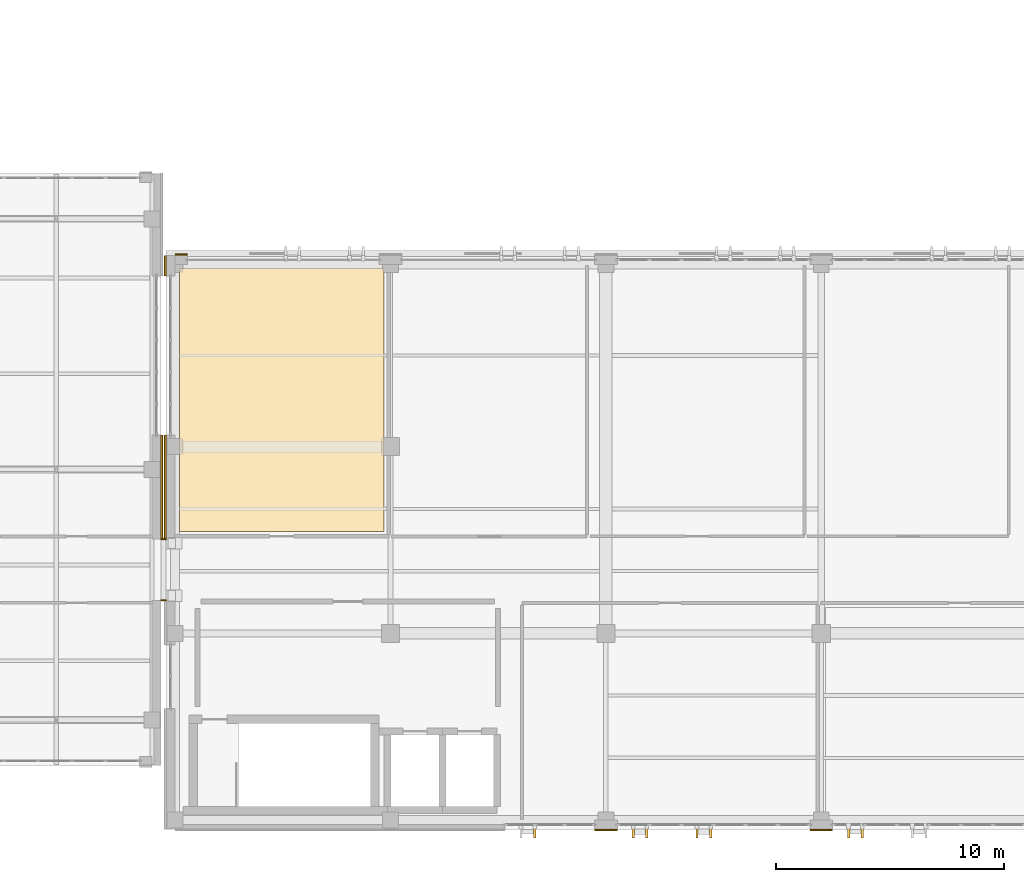
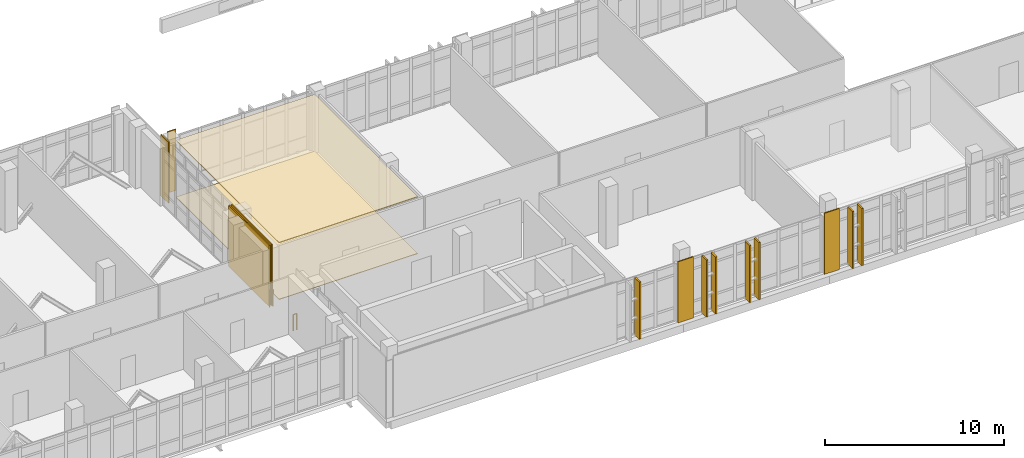
# One storey, part 144 of 158: 8 coverings, 7 shading devices, 2 railings.
"""IFC4 building model written with IfcOpenShell, lengths in metres."""

from ifc_helpers import new_model, si_unit, direction, frame, origin, origin_2d, place, context, subcontext, project, spatial, polyline, rectangle, circle, outline, extrude, material, layer, layer_set, type_object, element, save


model = new_model("IFC4")

# Units and contexts
model_context = context("Model", 3, precision=1e-05, world=origin(), true_north=direction((0.0, 1.0)))
body_context = subcontext(model_context, "Body", "Model", "MODEL_VIEW")
ifc_project = project(units=[si_unit("LENGTHUNIT", "METRE"), si_unit("AREAUNIT", "SQUARE_METRE"), si_unit("VOLUMEUNIT", "CUBIC_METRE"), si_unit("PLANEANGLEUNIT", "RADIAN"), si_unit("MASSUNIT", "GRAM", prefix="KILO")], contexts=[model_context])

# Site, building, storey
site_placement = place(None, origin())
site = spatial("IfcSite", under=ifc_project, at=site_placement, CompositionType="ELEMENT")
building_placement = place(site_placement, origin())
building = spatial("IfcBuilding", under=site, at=building_placement, Name="Qalavern Law Courts", CompositionType="ELEMENT")
storey_placement = place(building_placement, frame((0.0, 0.0, 18.60009765625)))
storey = spatial("IfcBuildingStorey", under=building, at=storey_placement, Name="L04", CompositionType="ELEMENT", Elevation=18.60009765625)

# Railings
ifc_material_1 = material(Name="Steel S355", Category="steel")
railing_type = type_object("IfcRailingType", Name="ENV-BAL-1120", PredefinedType="BALUSTRADE", material=ifc_material_1)
for number, where, name in (
    (1, (34.0, 15.260009765625, 0.0), "Bridge BR-V1-V2 joint guard L04-1"),
    (2, (34.0, 17.93994140625, 0.0), "Bridge BR-V1-V2 joint guard L04-2"),
):
    element("IfcRailing", number, at=place(storey_placement, frame(where)), inside=storey, type_object=railing_type, Name=name, PredefinedType="BALUSTRADE", context=body_context, shape_type="SweptSolid", body=[
        extrude(circle(Radius=0.02392578125, at=origin_2d()), frame((0.0, 0.0, 1.09619140625), z_axis=(1.0, 0.0, 0.0), x_axis=(0.0, 1.0, 0.0)), (0.0, 0.0, 1.0), 0.219970703125),
        extrude(circle(Radius=0.02099609375, at=origin_2d()), origin(), (0.0, 0.0, 1.0), 1.072021484375),
        extrude(circle(Radius=0.02099609375, at=origin_2d()), frame((0.219970703125, 0.0, 0.0)), (0.0, 0.0, 1.0), 1.072021484375),
    ])

# Coverings
ifc_material_2 = material(Name="Precast concrete C40/50", Category="concrete")
ifc_layer_1 = layer(ifc_material_2, 0.072021484375)
ifc_layer_set_1 = layer_set([ifc_layer_1], Name="Precast concrete C40/50")
covering_type_1 = type_object("IfcCoveringType", Name="ENV-CLD-2", PredefinedType="CLADDING", material=ifc_layer_set_1)
covering_1_placement = place(storey_placement, frame((34.032958984375, 20.22509765625, 0.009765625), z_axis=(0.0, 0.0, 1.0), x_axis=(0.0, 1.0, 0.0)))
element("IfcCovering", 3, at=covering_1_placement, inside=storey, type_object=covering_type_1, Name="V1 Absheron limestone pier facing L04 east 1", PredefinedType="CLADDING", context=body_context, shape_type="SweptSolid", body=[
    extrude(rectangle(XDim=4.530029296875, YDim=0.072021484375, at=origin_2d()), origin(), (0.0, 0.0, 1.0), 4.179931640625),
])
for number, where, z_axis, x_axis, name in (
    (4, (53.528564453125, 5.1669921875, 0.009765625), (0.0, 0.0, 1.0), (1.0, 0.0, 0.0), "V2 Absheron limestone pier facing L04 south 2"),
    (5, (62.98291015625, 5.1669921875, 0.009765625), (0.0, 0.0, 1.0), (1.0, 0.0, 0.0), "V2 Absheron limestone pier facing L04 south 3"),
):
    element("IfcCovering", number, at=place(storey_placement, frame(where, z_axis=z_axis, x_axis=x_axis)), inside=storey, type_object=covering_type_1, Name=name, PredefinedType="CLADDING", context=body_context, shape_type="SweptSolid", body=[
        extrude(rectangle(XDim=0.97998046875, YDim=0.072021484375, at=origin_2d()), origin(), (0.0, 0.0, 1.0), 4.179931640625),
    ])
covering_2_placement = place(storey_placement, frame((34.889892578125, 30.43310546875, 0.009765625), z_axis=(0.0, 0.0, 1.0), x_axis=(-1.0, 0.0, 0.0)))
element("IfcCovering", 6, at=covering_2_placement, inside=storey, type_object=covering_type_1, Name="V2 Absheron limestone pier facing L04 north 8", PredefinedType="CLADDING", context=body_context, shape_type="SweptSolid", body=[
    extrude(rectangle(XDim=0.530029296875, YDim=0.072021484375, at=origin_2d()), origin(), (0.0, 0.0, 1.0), 4.179931640625),
])
covering_3_placement = place(storey_placement, frame((34.18701171875, 29.949951171875, 0.009765625), z_axis=(0.0, 0.0, 1.0), x_axis=(0.0, -1.0, 0.0)))
element("IfcCovering", 7, at=covering_3_placement, inside=storey, type_object=covering_type_1, Name="V2 Absheron limestone pier facing L04 west 1", PredefinedType="CLADDING", context=body_context, shape_type="SweptSolid", body=[
    extrude(rectangle(XDim=0.8798828125, YDim=0.072021484375, at=origin_2d()), origin(), (0.0, 0.0, 1.0), 4.179931640625),
])
covering_4_placement = place(storey_placement, frame((34.18701171875, 20.22509765625, 0.009765625), z_axis=(0.0, 0.0, 1.0), x_axis=(0.0, -1.0, 0.0)))
element("IfcCovering", 8, at=covering_4_placement, inside=storey, type_object=covering_type_1, Name="V2 Absheron limestone pier facing L04 west 2", PredefinedType="CLADDING", context=body_context, shape_type="SweptSolid", body=[
    extrude(rectangle(XDim=4.530029296875, YDim=0.072021484375, at=origin_2d()), origin(), (0.0, 0.0, 1.0), 4.179931640625),
])

# Shading devices
shading_device_type = type_object("IfcShadingDeviceType", Name="ENV-FIN-2", PredefinedType="USERDEFINED", material=ifc_material_2)
for number, where, z_axis, x_axis, name in (
    (9, (50.39990234375, 5.090087890625, 0.009765625), (0.0, 0.0, 1.0), (0.0, -1.0, 0.0), "Hall solar shading fin 0146"),
    (10, (54.728515625, 5.090087890625, 0.009765625), (0.0, 0.0, 1.0), (0.0, -1.0, 0.0), "Hall solar shading fin 0147"),
    (11, (55.32861328125, 5.090087890625, 0.009765625), (0.0, 0.0, 1.0), (0.0, -1.0, 0.0), "Hall solar shading fin 0148"),
    (12, (57.528564453125, 5.090087890625, 0.009765625), (0.0, 0.0, 1.0), (0.0, -1.0, 0.0), "Hall solar shading fin 0149"),
    (13, (58.128662109375, 5.090087890625, 0.009765625), (0.0, 0.0, 1.0), (0.0, -1.0, 0.0), "Hall solar shading fin 0150"),
    (14, (64.182861328125, 5.090087890625, 0.009765625), (0.0, 0.0, 1.0), (0.0, -1.0, 0.0), "Hall solar shading fin 0151"),
    (15, (64.782958984375, 5.090087890625, 0.009765625), (0.0, 0.0, 1.0), (0.0, -1.0, 0.0), "Hall solar shading fin 0152"),
):
    element("IfcShadingDevice", number, at=place(storey_placement, frame(where, z_axis=z_axis, x_axis=x_axis)), inside=storey, type_object=shading_device_type, Name=name, ObjectType="FIN", PredefinedType="USERDEFINED", context=body_context, shape_type="SweptSolid", body=[
        extrude(rectangle(XDim=0.5400390625, YDim=0.10498046875, at=origin_2d()), origin(), (0.0, 0.0, 1.0), 3.905029296875),
    ])

# Coverings
ifc_material_3 = material(Name="Slatted oak acoustic timber baffle ceiling", Category="wood")
ifc_layer_2 = layer(ifc_material_3, 0.055908203125)
ifc_layer_set_2 = layer_set([ifc_layer_2], Name="Slatted oak acoustic timber baffle ceiling")
covering_type_2 = type_object("IfcCoveringType", Name="INT-CEIL-3", PredefinedType="CEILING", material=ifc_layer_set_2)
covering_5_placement = place(storey_placement, frame((0.0, 0.0, 3.868896484375)))
element("IfcCovering", 16, at=covering_5_placement, inside=storey, type_object=covering_type_2, Name="Judicial Conference Hall acoustic ceiling L04", PredefinedType="CEILING", context=body_context, shape_type="SweptSolid", body=[
    extrude(outline(polyline([(34.81005859375, 18.27001953125), (43.787109375, 18.27001953125), (43.787109375, 29.81005859375), (34.81005859375, 29.81005859375), (34.81005859375, 18.27001953125)])), origin(), (0.0, 0.0, 1.0), 0.055908203125),
])
ifc_material_4 = material(Name="Acoustic engineered oak courtroom flooring")
ifc_layer_3 = layer(ifc_material_4, 0.0380859375)
ifc_layer_set_3 = layer_set([ifc_layer_3], Name="Acoustic engineered oak courtroom flooring")
covering_type_3 = type_object("IfcCoveringType", Name="INT-FLR-3", PredefinedType="FLOORING", material=ifc_layer_set_3)
covering_6_placement = place(storey_placement, origin())
element("IfcCovering", 17, at=covering_6_placement, inside=storey, type_object=covering_type_3, Name="Judicial Conference Hall finish flooring L04", PredefinedType="FLOORING", context=body_context, shape_type="SweptSolid", body=[
    extrude(outline(polyline([(34.81005859375, 18.27001953125), (43.787109375, 18.27001953125), (43.787109375, 29.81005859375), (34.81005859375, 29.81005859375), (34.81005859375, 18.27001953125)])), origin(), (0.0, 0.0, 1.0), 0.037841796875),
])

save(model, "model.ifc")
